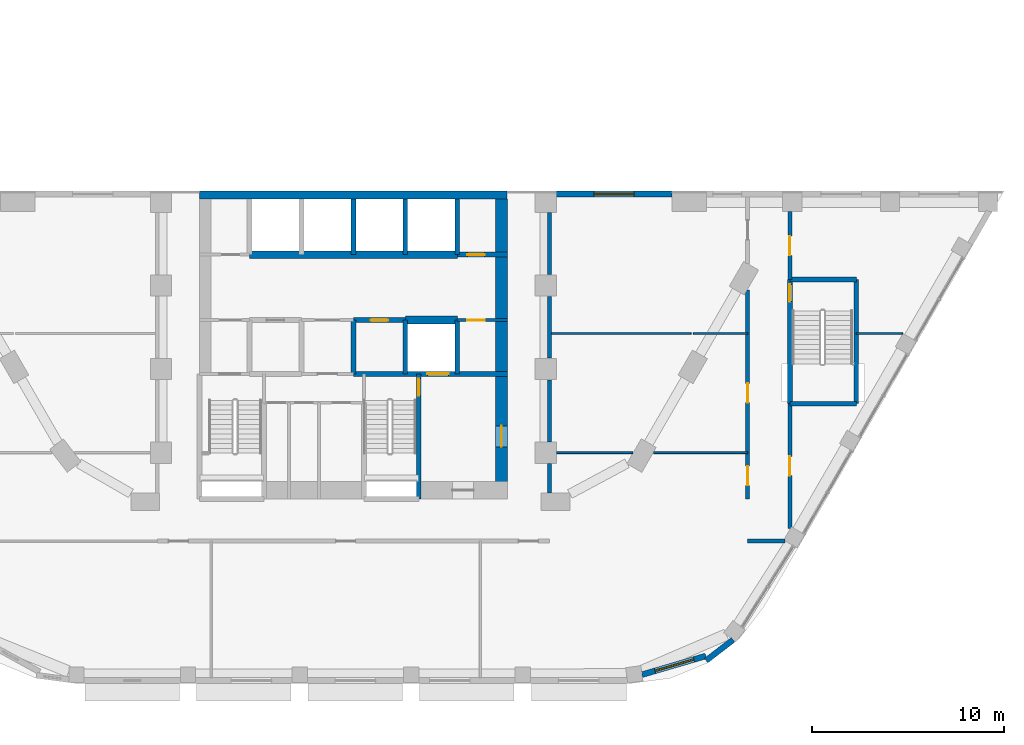
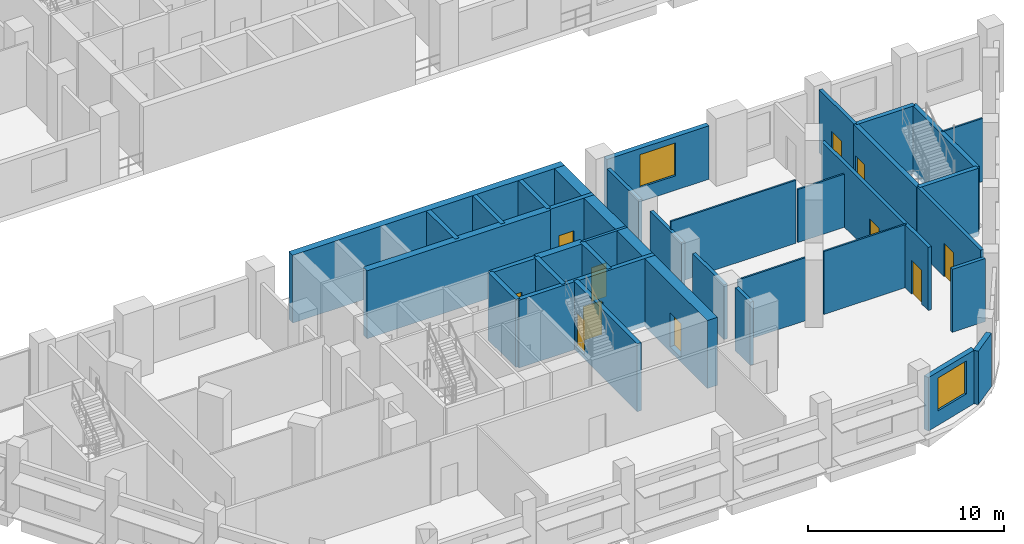
# One storey, part 12 of 22: 35 walls, 11 doors, 2 windows, 13 openings.
"""IFC4 building model written with IfcOpenShell, lengths in metres."""

from ifc_helpers import new_model, si_unit, direction, frame, frame_2d, origin, place, context, subcontext, project, spatial, rectangle, extrude, material, layer, layer_set, type_object, element, fill, save


model = new_model("IFC4")

# Units and contexts
model_context = context("Model", 3, precision=1e-05, world=origin(), true_north=direction((0.0, 1.0)))
body_context = subcontext(model_context, "Body", "Model", "MODEL_VIEW")
ifc_project = project(units=[si_unit("LENGTHUNIT", "METRE"), si_unit("AREAUNIT", "SQUARE_METRE"), si_unit("VOLUMEUNIT", "CUBIC_METRE"), si_unit("PLANEANGLEUNIT", "RADIAN"), si_unit("MASSUNIT", "GRAM", prefix="KILO")], contexts=[model_context])

# Site, building, storey
site_placement = place(None, origin())
site = spatial("IfcSite", under=ifc_project, at=site_placement, CompositionType="ELEMENT")
building_placement = place(site_placement, origin())
building = spatial("IfcBuilding", under=site, at=building_placement, Name="Nakaniwa Court", CompositionType="ELEMENT")
storey_placement = place(building_placement, frame((0.0, 0.0, 24.0)))
storey = spatial("IfcBuildingStorey", under=building, at=storey_placement, Name="L05", CompositionType="ELEMENT", Elevation=24.0)

# Wall, opening, door
ifc_material_1 = material(Name="Acoustic double stud partition")
ifc_layer_1 = layer(ifc_material_1, 0.199951171875)
ifc_layer_set_1 = layer_set([ifc_layer_1], Name="Acoustic double stud partition")
wall_type_1 = type_object("IfcWallType", Name="Acoustic double stud partition 200", PredefinedType="PARTITIONING", material=ifc_layer_set_1)
wall_1_placement = place(storey_placement, frame((102.699951171875, 61.552978515625, 0.0), z_axis=(0.0, 0.0, 1.0), x_axis=(0.0, -1.0, 0.0)))
wall_1 = element("IfcWall", 1, at=wall_1_placement, inside=storey, type_object=wall_type_1, Name="Partition PW-079", PredefinedType="PARTITIONING", context=body_context, shape_type="SweptSolid", body=[
    extrude(rectangle(XDim=6.49853515625, YDim=0.199951171875, at=frame_2d((3.249267578125, 0.0))), origin(), (0.0, 0.0, 1.0), 3.925048828125),
])
opening_1_placement = place(wall_1_placement, frame((2.75, 0.0, 0.0)))
opening_1 = element("IfcOpeningElement", 2, at=opening_1_placement, cuts=wall_1, Name="Opening D-02-10", PredefinedType="OPENING", context=body_context, shape_type="SweptSolid", body=[
    extrude(rectangle(XDim=1.0, YDim=2.10009765625, at=frame_2d((0.5, 1.050048828125))), frame((0.0, 0.10986328125, 0.0), z_axis=(0.0, -1.0, 0.0), x_axis=(1.0, 0.0, 0.0)), (0.0, 0.0, 1.0), 0.219970703125),
])
ifc_material_2 = material(Name="Solid core timber door set, black veneer", Category="wood")
door_type_1 = type_object("IfcDoorType", Name="Internal door 1000", OperationType="NOTDEFINED", PredefinedType="DOOR", material=ifc_material_2)
door_1_placement = place(opening_1_placement, origin())
door_1 = element("IfcDoor", 3, at=door_1_placement, inside=storey, type_object=door_type_1, Name="Door D-02-10 L05-041", OperationType="SINGLE_SWING_RIGHT", OverallHeight=2.10009765625, OverallWidth=1.0, PredefinedType="DOOR", context=body_context, shape_type="SweptSolid", body=[
    extrude(rectangle(XDim=1.0, YDim=2.10009765625, at=frame_2d((0.5, 1.050048828125))), frame((0.0, 0.02490234375, 0.0), z_axis=(0.0, -1.0, 0.0), x_axis=(1.0, 0.0, 0.0)), (0.0, 0.0, 1.0), 0.050048828125),
])
fill(opening_1, door_1)

wall_2_placement = place(storey_placement, frame((102.699951171875, 71.532958984375, 0.0), z_axis=(0.0, 0.0, 1.0), x_axis=(0.0, -1.0, 0.0)))
wall_2 = element("IfcWall", 4, at=wall_2_placement, inside=storey, type_object=wall_type_1, Name="Partition PW-080", PredefinedType="PARTITIONING", context=body_context, shape_type="SweptSolid", body=[
    extrude(rectangle(XDim=3.535888671875, YDim=0.199951171875, at=frame_2d((1.76806640625, 0.0))), origin(), (0.0, 0.0, 1.0), 3.925048828125),
])
opening_2_placement = place(wall_2_placement, frame((1.26806640625, 0.0, 0.0)))
opening_2 = element("IfcOpeningElement", 5, at=opening_2_placement, cuts=wall_2, Name="Opening D-02-09", PredefinedType="OPENING", context=body_context, shape_type="SweptSolid", body=[
    extrude(rectangle(XDim=1.0, YDim=2.10009765625, at=frame_2d((0.5, 1.050048828125))), frame((0.0, 0.10986328125, 0.0), z_axis=(0.0, -1.0, 0.0), x_axis=(1.0, 0.0, 0.0)), (0.0, 0.0, 1.0), 0.219970703125),
])
door_2_placement = place(opening_2_placement, origin())
door_2 = element("IfcDoor", 6, at=door_2_placement, inside=storey, type_object=door_type_1, Name="Door D-02-09 L05-040", OperationType="SINGLE_SWING_LEFT", OverallHeight=2.10009765625, OverallWidth=1.0, PredefinedType="DOOR", context=body_context, shape_type="SweptSolid", body=[
    extrude(rectangle(XDim=1.0, YDim=2.10009765625, at=frame_2d((0.5, 1.050048828125))), frame((0.0, 0.02490234375, 0.0), z_axis=(0.0, -1.0, 0.0), x_axis=(1.0, 0.0, 0.0)), (0.0, 0.0, 1.0), 0.050048828125),
])
fill(opening_2, door_2)

# Wall, openings, doors
wall_3_placement = place(storey_placement, frame((100.5, 56.596923828125, 0.0), z_axis=(0.0, 0.0, 1.0), x_axis=(0.0, 1.0, 0.0)))
wall_3 = element("IfcWall", 7, at=wall_3_placement, inside=storey, type_object=wall_type_1, Name="Partition PW-083", PredefinedType="PARTITIONING", context=body_context, shape_type="SweptSolid", body=[
    extrude(rectangle(XDim=10.873291015625, YDim=0.199951171875, at=frame_2d((5.4365234375, 0.0))), origin(), (0.0, 0.0, 1.0), 3.925048828125),
])
opening_3_placement = place(wall_3_placement, frame((5.0029296875, 0.0, 0.0)))
opening_3 = element("IfcOpeningElement", 8, at=opening_3_placement, cuts=wall_3, Name="Opening D-02-14", PredefinedType="OPENING", context=body_context, shape_type="SweptSolid", body=[
    extrude(rectangle(XDim=1.0, YDim=2.10009765625, at=frame_2d((0.5, 1.050048828125))), frame((0.0, 0.10986328125, 0.0), z_axis=(0.0, -1.0, 0.0), x_axis=(1.0, 0.0, 0.0)), (0.0, 0.0, 1.0), 0.219970703125),
])
opening_4_placement = place(wall_3_placement, frame((0.702880859375, 0.0, 0.0)))
opening_4 = element("IfcOpeningElement", 9, at=opening_4_placement, cuts=wall_3, Name="Opening D-02-15", PredefinedType="OPENING", context=body_context, shape_type="SweptSolid", body=[
    extrude(rectangle(XDim=1.0, YDim=2.10009765625, at=frame_2d((0.5, 1.050048828125))), frame((0.0, 0.10986328125, 0.0), z_axis=(0.0, -1.0, 0.0), x_axis=(1.0, 0.0, 0.0)), (0.0, 0.0, 1.0), 0.219970703125),
])
door_3_placement = place(opening_3_placement, origin())
door_3 = element("IfcDoor", 10, at=door_3_placement, inside=storey, type_object=door_type_1, Name="Door D-02-14 L05-045", OperationType="SINGLE_SWING_RIGHT", OverallHeight=2.10009765625, OverallWidth=1.0, PredefinedType="DOOR", context=body_context, shape_type="SweptSolid", body=[
    extrude(rectangle(XDim=1.0, YDim=2.10009765625, at=frame_2d((0.5, 1.050048828125))), frame((0.0, 0.02490234375, 0.0), z_axis=(0.0, -1.0, 0.0), x_axis=(1.0, 0.0, 0.0)), (0.0, 0.0, 1.0), 0.050048828125),
])
fill(opening_3, door_3)
door_4_placement = place(opening_4_placement, origin())
door_4 = element("IfcDoor", 11, at=door_4_placement, inside=storey, type_object=door_type_1, Name="Door D-02-15 L05-046", OperationType="SINGLE_SWING_LEFT", OverallHeight=2.10009765625, OverallWidth=1.0, PredefinedType="DOOR", context=body_context, shape_type="SweptSolid", body=[
    extrude(rectangle(XDim=1.0, YDim=2.10009765625, at=frame_2d((0.5, 1.050048828125))), frame((0.0, 0.02490234375, 0.0), z_axis=(0.0, -1.0, 0.0), x_axis=(1.0, 0.0, 0.0)), (0.0, 0.0, 1.0), 0.050048828125),
])
fill(opening_4, door_4)

# Walls
wall_4_placement = place(storey_placement, frame((90.199951171875, 56.9169921875, 0.0), z_axis=(0.0, 0.0, 1.0), x_axis=(0.0, 1.0, 0.0)))
element("IfcWall", 12, at=wall_4_placement, inside=storey, type_object=wall_type_1, Name="Partition PW-100", PredefinedType="PARTITIONING", context=body_context, shape_type="SweptSolid", body=[
    extrude(rectangle(XDim=1.51611328125, YDim=0.199951171875, at=frame_2d((0.758056640625, 0.0))), origin(), (0.0, 0.0, 1.0), 3.925048828125),
])
for number, where, z_axis, x_axis, name in (
    (13, (90.199951171875, 59.56689453125, 0.0), (0.0, 0.0, 1.0), (0.0, 1.0, 0.0), "Partition PW-101"),
    (14, (90.199951171875, 63.9169921875, 0.0), (0.0, 0.0, 1.0), (0.0, 1.0, 0.0), "Partition PW-102"),
):
    element("IfcWall", number, at=place(storey_placement, frame(where, z_axis=z_axis, x_axis=x_axis)), inside=storey, type_object=wall_type_1, Name=name, PredefinedType="PARTITIONING", context=body_context, shape_type="SweptSolid", body=[
        extrude(rectangle(XDim=3.216064453125, YDim=0.199951171875, at=frame_2d((1.60791015625, 0.0))), origin(), (0.0, 0.0, 1.0), 3.405029296875),
    ])
wall_5_placement = place(storey_placement, frame((90.199951171875, 68.26708984375, 0.0), z_axis=(0.0, 0.0, 1.0), x_axis=(0.0, 1.0, 0.0)))
element("IfcWall", 15, at=wall_5_placement, inside=storey, type_object=wall_type_1, Name="Partition PW-103", PredefinedType="PARTITIONING", context=body_context, shape_type="SweptSolid", body=[
    extrude(rectangle(XDim=3.2158203125, YDim=0.199951171875, at=frame_2d((1.60791015625, 0.0))), origin(), (0.0, 0.0, 1.0), 3.405029296875),
])
wall_6_placement = place(storey_placement, frame((100.5, 54.39990234375, 0.0), z_axis=(0.0, 0.0, 1.0), x_axis=(1.0, 0.0, 0.0)))
element("IfcWall", 16, at=wall_6_placement, inside=storey, type_object=wall_type_1, Name="Partition PW-132", PredefinedType="PARTITIONING", context=body_context, shape_type="SweptSolid", body=[
    extrude(rectangle(XDim=1.93408203125, YDim=0.199951171875, at=frame_2d((0.967041015625, 0.0))), origin(), (0.0, 0.0, 1.0), 3.925048828125),
])

# Wall, opening, window
ifc_material_3 = material(Name="Charcoal ceramic cladding")
ifc_layer_2 = layer(ifc_material_3, 0.02, Name="Ceramic cladding")
ifc_material_4 = material(Name="Ventilated air cavity")
ifc_layer_3 = layer(ifc_material_4, 0.04, ventilated=True, Name="Ventilated cavity")
ifc_material_5 = material(Name="Mineral wool insulation")
ifc_layer_4 = layer(ifc_material_5, 0.1, Name="Insulation")
ifc_material_6 = material(Name="Cement bonded sheathing board")
ifc_layer_5 = layer(ifc_material_6, 0.012, Name="Sheathing")
ifc_material_7 = material(Name="Cold-formed galvanised stud frame with mineral wool infill")
ifc_layer_6 = layer(ifc_material_7, 0.1, Name="Stud frame")
ifc_material_8 = material(Name="Fire-rated gypsum plasterboard lining")
ifc_layer_7 = layer(ifc_material_8, 0.028, Name="Lining")
ifc_layer_set_2 = layer_set([ifc_layer_2, ifc_layer_3, ifc_layer_4, ifc_layer_5, ifc_layer_6, ifc_layer_7], Name="Charcoal ceramic faced external wall system")
wall_type_2 = type_object("IfcWallType", Name="Black ceramic faced external wall 300", PredefinedType="SOLIDWALL", material=ifc_layer_set_2)
wall_7_placement = place(storey_placement, frame((96.56201171875, 72.449951171875, 0.0), z_axis=(0.0, 0.0, 1.0), x_axis=(-1.0, 0.0, 0.0)))
wall_7 = element("IfcWall", 17, at=wall_7_placement, inside=storey, type_object=wall_type_2, Name="L05 external wall 07", PredefinedType="SOLIDWALL", context=body_context, shape_type="SweptSolid", body=[
    extrude(rectangle(XDim=6.01611328125, YDim=0.300048828125, at=frame_2d((3.008056640625, 0.0))), origin(), (0.0, 0.0, 1.0), 3.324951171875),
])
opening_5_placement = place(wall_7_placement, frame((1.9580078125, 0.0, 0.89990234375)))
opening_5 = element("IfcOpeningElement", 18, at=opening_5_placement, cuts=wall_7, Name="Opening W2.04", PredefinedType="OPENING", context=body_context, shape_type="SweptSolid", body=[
    extrude(rectangle(XDim=2.10009765625, YDim=2.050048828125, at=frame_2d((1.050048828125, 1.02490234375))), frame((0.0, 0.159912109375, 0.0), z_axis=(0.0, -1.0, 0.0), x_axis=(1.0, 0.0, 0.0)), (0.0, 0.0, 1.0), 0.320068359375),
])
ifc_material_9 = material(Name="Black anodised aluminium frame with dark low-E laminated double glazing", Category="aluminium")
window_type = type_object("IfcWindowType", Name="Dark glass window 2100x2050 sill 900", PartitioningType="SINGLE_PANEL", PredefinedType="WINDOW", material=ifc_material_9)
window_1_placement = place(opening_5_placement, origin())
window_1 = element("IfcWindow", 19, at=window_1_placement, inside=storey, type_object=window_type, Name="L05 habitable room window 07-0", OverallHeight=2.050048828125, OverallWidth=2.10009765625, PartitioningType="SINGLE_PANEL", PredefinedType="WINDOW", context=body_context, shape_type="SweptSolid", body=[
    extrude(rectangle(XDim=2.10009765625, YDim=2.050048828125, at=frame_2d((1.050048828125, 1.02490234375))), frame((0.0, 0.030029296875, 0.0), z_axis=(0.0, -1.0, 0.0), x_axis=(1.0, 0.0, 0.0)), (0.0, 0.0, 1.0), 0.06005859375),
])
fill(opening_5, window_1)

wall_8_placement = place(storey_placement, frame((95.00732421875, 47.45654296875, 0.0), z_axis=(0.0, 0.0, 1.0), x_axis=(0.959578633815, 0.281440660756, 0.0)))
wall_8 = element("IfcWall", 20, at=wall_8_placement, inside=storey, type_object=wall_type_2, Name="L05 external wall 24", PredefinedType="SOLIDWALL", context=body_context, shape_type="SweptSolid", body=[
    extrude(rectangle(XDim=3.461181640625, YDim=0.300048828125, at=frame_2d((1.73046875, 0.0))), origin(), (0.0, 0.0, 1.0), 3.324951171875),
])
opening_6_placement = place(wall_8_placement, frame((0.705810546875, 0.0, 0.89990234375)))
opening_6 = element("IfcOpeningElement", 21, at=opening_6_placement, cuts=wall_8, Name="Opening W2.17", PredefinedType="OPENING", context=body_context, shape_type="SweptSolid", body=[
    extrude(rectangle(XDim=2.10009765625, YDim=2.050048828125, at=frame_2d((1.050048828125, 1.02490234375))), frame((0.0, 0.159912109375, 0.0), z_axis=(0.0, -1.0, 0.0), x_axis=(1.0, 0.0, 0.0)), (0.0, 0.0, 1.0), 0.320068359375),
])
window_2_placement = place(opening_6_placement, origin())
window_2 = element("IfcWindow", 22, at=window_2_placement, inside=storey, type_object=window_type, Name="L05 habitable room window 24-0", OverallHeight=2.050048828125, OverallWidth=2.10009765625, PartitioningType="SINGLE_PANEL", PredefinedType="WINDOW", context=body_context, shape_type="SweptSolid", body=[
    extrude(rectangle(XDim=2.10009765625, YDim=2.050048828125, at=frame_2d((1.050048828125, 1.02490234375))), frame((0.0, 0.030029296875, 0.0), z_axis=(0.0, -1.0, 0.0), x_axis=(1.0, 0.0, 0.0)), (0.0, 0.0, 1.0), 0.06005859375),
])
fill(opening_6, window_2)

# Wall
wall_9_placement = place(storey_placement, frame((98.342529296875, 48.19091796875, 0.0), z_axis=(0.0, 0.0, 1.0), x_axis=(0.793403972369, 0.608695438318, 0.0)))
element("IfcWall", 23, at=wall_9_placement, inside=storey, type_object=wall_type_2, Name="L05 external wall 25", PredefinedType="SOLIDWALL", context=body_context, shape_type="SweptSolid", body=[
    extrude(rectangle(XDim=1.76708984375, YDim=0.300048828125, at=frame_2d((0.883544921875, 0.0))), origin(), (0.0, 0.0, 1.0), 3.324951171875),
])

# Wall, opening, door
ifc_material_10 = material(Name="Blockwork partition", Category="masonry")
ifc_layer_8 = layer(ifc_material_10, 0.14990234375)
ifc_layer_set_3 = layer_set([ifc_layer_8], Name="Blockwork partition")
wall_type_3 = type_object("IfcWallType", Name="Blockwork partition 150", PredefinedType="PARTITIONING", material=ifc_layer_set_3)
wall_10_placement = place(storey_placement, frame((88.0, 65.89990234375, 0.0), z_axis=(0.0, 0.0, 1.0), x_axis=(-1.0, 0.0, 0.0)))
wall_10 = element("IfcWall", 24, at=wall_10_placement, inside=storey, type_object=wall_type_3, Name="Partition PW-056", PredefinedType="PARTITIONING", context=body_context, shape_type="SweptSolid", body=[
    extrude(rectangle(XDim=2.60302734375, YDim=0.14990234375, at=frame_2d((1.301513671875, 0.0))), origin(), (0.0, 0.0, 1.0), 3.925048828125),
])
opening_7_placement = place(wall_10_placement, frame((1.175048828125, 0.0, 0.0)))
opening_7 = element("IfcOpeningElement", 25, at=opening_7_placement, cuts=wall_10, Name="Opening D-05-13", PredefinedType="OPENING", context=body_context, shape_type="SweptSolid", body=[
    extrude(rectangle(XDim=0.89990234375, YDim=2.10009765625, at=frame_2d((0.449951171875, 1.050048828125))), frame((0.0, 0.0849609375, 0.0), z_axis=(0.0, -1.0, 0.0), x_axis=(1.0, 0.0, 0.0)), (0.0, 0.0, 1.0), 0.169921875),
])
ifc_material_11 = material(Name="Fire rated steel door set", Category="steel")
door_type_2 = type_object("IfcDoorType", Name="Service room door 900", OperationType="NOTDEFINED", PredefinedType="DOOR", material=ifc_material_11)
door_5_placement = place(opening_7_placement, origin())
door_5 = element("IfcDoor", 26, at=door_5_placement, inside=storey, type_object=door_type_2, Name="Door D-05-13 L05-020", OperationType="SINGLE_SWING_LEFT", OverallHeight=2.10009765625, OverallWidth=0.89990234375, PredefinedType="DOOR", context=body_context, shape_type="SweptSolid", body=[
    extrude(rectangle(XDim=0.89990234375, YDim=2.10009765625, at=frame_2d((0.449951171875, 1.050048828125))), frame((0.0, 0.02490234375, 0.0), z_axis=(0.0, -1.0, 0.0), x_axis=(1.0, 0.0, 0.0)), (0.0, 0.0, 1.0), 0.050048828125),
])
fill(opening_7, door_5)

ifc_material_12 = material(Name="Concrete C100/115", Category="concrete")
ifc_layer_9 = layer(ifc_material_12, 0.60009765625)
ifc_layer_set_4 = layer_set([ifc_layer_9], Name="Concrete C100/115")
wall_type_4 = type_object("IfcWallType", Name="Concrete core side wall 600 C100", PredefinedType="SHEAR", material=ifc_layer_set_4)
wall_11_placement = place(storey_placement, frame((87.699951171875, 72.199951171875, -0.300048828125), z_axis=(0.0, 0.0, 1.0), x_axis=(0.0, -1.0, 0.0)))
wall_11 = element("IfcWall", 27, at=wall_11_placement, inside=storey, type_object=wall_type_4, Name="Core wall SW-53", PredefinedType="SHEAR", context=body_context, shape_type="SweptSolid", body=[
    extrude(rectangle(XDim=15.599853515625, YDim=0.60009765625, at=frame_2d((7.7998046875, 0.0))), origin(), (0.0, 0.0, 1.0), 4.22509765625),
])
opening_8_placement = place(wall_11_placement, frame((11.800048828125, 0.0, 0.300048828125)))
opening_8 = element("IfcOpeningElement", 28, at=opening_8_placement, cuts=wall_11, Name="Opening D-10-03", PredefinedType="OPENING", context=body_context, shape_type="SweptSolid", body=[
    extrude(rectangle(XDim=1.10009765625, YDim=2.10009765625, at=frame_2d((0.550048828125, 1.050048828125))), frame((0.0, 0.31005859375, 0.0), z_axis=(0.0, -1.0, 0.0), x_axis=(1.0, 0.0, 0.0)), (0.0, 0.0, 1.0), 0.6201171875),
])
door_type_3 = type_object("IfcDoorType", Name="Firefighting lobby door 1100", OperationType="NOTDEFINED", PredefinedType="DOOR", material=ifc_material_11)
door_6_placement = place(opening_8_placement, origin())
door_6 = element("IfcDoor", 29, at=door_6_placement, inside=storey, type_object=door_type_3, Name="Door D-10-03 L05-055", OperationType="SINGLE_SWING_RIGHT", OverallHeight=2.10009765625, OverallWidth=1.10009765625, PredefinedType="DOOR", context=body_context, shape_type="SweptSolid", body=[
    extrude(rectangle(XDim=1.10009765625, YDim=2.10009765625, at=frame_2d((0.550048828125, 1.050048828125))), frame((0.0, 0.02490234375, 0.0), z_axis=(0.0, -1.0, 0.0), x_axis=(1.0, 0.0, 0.0)), (0.0, 0.0, 1.0), 0.050048828125),
])
fill(opening_8, door_6)

# Walls
ifc_layer_10 = layer(ifc_material_12, 0.39990234375)
ifc_layer_set_5 = layer_set([ifc_layer_10], Name="Concrete C100/115")
wall_type_5 = type_object("IfcWallType", Name="Concrete core spine wall 400 C100", PredefinedType="SHEAR", material=ifc_layer_set_5)
wall_12_placement = place(storey_placement, frame((74.60009765625, 69.300048828125, -0.300048828125), z_axis=(0.0, 0.0, 1.0), x_axis=(1.0, 0.0, 0.0)))
element("IfcWall", 30, at=wall_12_placement, inside=storey, type_object=wall_type_5, Name="Core wall SW-45", PredefinedType="SHEAR", context=body_context, shape_type="SweptSolid", body=[
    extrude(rectangle(XDim=10.7998046875, YDim=0.39990234375, at=frame_2d((5.39990234375, 0.0))), origin(), (0.0, 0.0, 1.0), 4.22509765625),
])
wall_13_placement = place(storey_placement, frame((82.697021484375, 65.89990234375, -0.300048828125), z_axis=(0.0, 0.0, 1.0), x_axis=(1.0, 0.0, 0.0)))
element("IfcWall", 31, at=wall_13_placement, inside=storey, type_object=wall_type_5, Name="Core wall SW-59", PredefinedType="SHEAR", context=body_context, shape_type="SweptSolid", body=[
    extrude(rectangle(XDim=2.7060546875, YDim=0.39990234375, at=frame_2d((1.35302734375, 0.0))), origin(), (0.0, 0.0, 1.0), 4.22509765625),
])

# Wall, opening, door
ifc_layer_11 = layer(ifc_material_12, 0.25)
ifc_layer_set_6 = layer_set([ifc_layer_11], Name="Concrete C100/115")
wall_type_6 = type_object("IfcWallType", Name="Concrete core wall 250 C100", PredefinedType="SHEAR", material=ifc_layer_set_6)
wall_14_placement = place(storey_placement, frame((102.699951171875, 61.547119140625, -0.300048828125), z_axis=(0.0, 0.0, 1.0), x_axis=(0.0, 1.0, 0.0)))
wall_14 = element("IfcWall", 32, at=wall_14_placement, inside=storey, type_object=wall_type_6, Name="Core wall SW-77", PredefinedType="SHEAR", context=body_context, shape_type="SweptSolid", body=[
    extrude(rectangle(XDim=6.455810546875, YDim=0.25, at=frame_2d((3.22802734375, 0.0))), origin(), (0.0, 0.0, 1.0), 4.22509765625),
])
opening_9_placement = place(wall_14_placement, frame((5.305908203125, 0.0, 0.300048828125)))
opening_9 = element("IfcOpeningElement", 33, at=opening_9_placement, cuts=wall_14, Name="Opening D-11-05", PredefinedType="OPENING", context=body_context, shape_type="SweptSolid", body=[
    extrude(rectangle(XDim=0.89990234375, YDim=2.10009765625, at=frame_2d((0.449951171875, 1.050048828125))), frame((0.0, 0.135009765625, 0.0), z_axis=(0.0, -1.0, 0.0), x_axis=(1.0, 0.0, 0.0)), (0.0, 0.0, 1.0), 0.27001953125),
])
door_type_4 = type_object("IfcDoorType", Name="Stair door 900", OperationType="NOTDEFINED", PredefinedType="DOOR", material=ifc_material_11)
door_7_placement = place(opening_9_placement, origin())
door_7 = element("IfcDoor", 34, at=door_7_placement, inside=storey, type_object=door_type_4, Name="Door D-11-05 L05-038", OperationType="SINGLE_SWING_RIGHT", OverallHeight=2.10009765625, OverallWidth=0.89990234375, PredefinedType="DOOR", context=body_context, shape_type="SweptSolid", body=[
    extrude(rectangle(XDim=0.89990234375, YDim=2.10009765625, at=frame_2d((0.449951171875, 1.050048828125))), frame((0.0, 0.02490234375, 0.0), z_axis=(0.0, -1.0, 0.0), x_axis=(1.0, 0.0, 0.0)), (0.0, 0.0, 1.0), 0.050048828125),
])
fill(opening_9, door_7)

# Walls
wall_15_placement = place(storey_placement, frame((106.14990234375, 61.550048828125, -0.300048828125), z_axis=(0.0, 0.0, 1.0), x_axis=(0.0, 1.0, 0.0)))
element("IfcWall", 35, at=wall_15_placement, inside=storey, type_object=wall_type_6, Name="Core wall SW-116", PredefinedType="SHEAR", context=body_context, shape_type="SweptSolid", body=[
    extrude(rectangle(XDim=6.449951171875, YDim=0.25, at=frame_2d((3.22509765625, 0.0))), origin(), (0.0, 0.0, 1.0), 4.22509765625),
])
for number, where, z_axis, x_axis, name in (
    (36, (102.699951171875, 68.0, -0.300048828125), (0.0, 0.0, 1.0), (1.0, 0.0, 0.0), "Core wall SW-134"),
    (37, (102.699951171875, 61.550048828125, -0.300048828125), (0.0, 0.0, 1.0), (1.0, 0.0, 0.0), "Core wall SW-136"),
):
    element("IfcWall", number, at=place(storey_placement, frame(where, z_axis=z_axis, x_axis=x_axis)), inside=storey, type_object=wall_type_6, Name=name, PredefinedType="SHEAR", context=body_context, shape_type="SweptSolid", body=[
        extrude(rectangle(XDim=3.449951171875, YDim=0.25, at=frame_2d((1.72509765625, 0.0))), origin(), (0.0, 0.0, 1.0), 4.22509765625),
    ])
ifc_layer_12 = layer(ifc_material_12, 0.39990234375)
ifc_layer_set_7 = layer_set([ifc_layer_12], Name="Concrete C100/115")
wall_type_7 = type_object("IfcWallType", Name="Concrete core well wall 400 C100", PredefinedType="SHEAR", material=ifc_layer_set_7)
wall_16_placement = place(storey_placement, frame((72.00390625, 72.39990234375, -0.300048828125), z_axis=(0.0, 0.0, 1.0), x_axis=(1.0, 0.0, 0.0)))
element("IfcWall", 38, at=wall_16_placement, inside=storey, type_object=wall_type_7, Name="Core wall SW-151", PredefinedType="SHEAR", context=body_context, shape_type="SweptSolid", body=[
    extrude(rectangle(XDim=15.9921875, YDim=0.39990234375, at=frame_2d((7.99609375, 0.0))), origin(), (0.0, 0.0, 1.0), 4.22509765625),
])
ifc_layer_13 = layer(ifc_material_12, 0.25)
ifc_layer_set_8 = layer_set([ifc_layer_13], Name="Concrete C100/115")
wall_type_8 = type_object("IfcWallType", Name="Concrete shaft wall 250 C100", PredefinedType="SHEAR", material=ifc_layer_set_8)
wall_17_placement = place(storey_placement, frame((80.0, 63.10009765625, -0.300048828125), z_axis=(0.0, 0.0, 1.0), x_axis=(0.0, 1.0, 0.0)))
element("IfcWall", 39, at=wall_17_placement, inside=storey, type_object=wall_type_8, Name="Core wall SW-46", PredefinedType="SHEAR", context=body_context, shape_type="SweptSolid", body=[
    extrude(rectangle(XDim=2.7998046875, YDim=0.25, at=frame_2d((1.39990234375, 0.0))), origin(), (0.0, 0.0, 1.0), 4.22509765625),
])
wall_18_placement = place(storey_placement, frame((80.0, 69.300048828125, -0.300048828125), z_axis=(0.0, 0.0, 1.0), x_axis=(0.0, 1.0, 0.0)))
element("IfcWall", 40, at=wall_18_placement, inside=storey, type_object=wall_type_8, Name="Core wall SW-47", PredefinedType="SHEAR", context=body_context, shape_type="SweptSolid", body=[
    extrude(rectangle(XDim=2.89990234375, YDim=0.25, at=frame_2d((1.449951171875, 0.0))), origin(), (0.0, 0.0, 1.0), 4.22509765625),
])
wall_19_placement = place(storey_placement, frame((82.699951171875, 63.10009765625, -0.300048828125), z_axis=(0.0, 0.0, 1.0), x_axis=(0.0, 1.0, 0.0)))
element("IfcWall", 41, at=wall_19_placement, inside=storey, type_object=wall_type_8, Name="Core wall SW-48", PredefinedType="SHEAR", context=body_context, shape_type="SweptSolid", body=[
    extrude(rectangle(XDim=2.7998046875, YDim=0.25, at=frame_2d((1.39990234375, 0.0))), origin(), (0.0, 0.0, 1.0), 4.22509765625),
])
wall_20_placement = place(storey_placement, frame((82.699951171875, 69.300048828125, -0.300048828125), z_axis=(0.0, 0.0, 1.0), x_axis=(0.0, 1.0, 0.0)))
element("IfcWall", 42, at=wall_20_placement, inside=storey, type_object=wall_type_8, Name="Core wall SW-49", PredefinedType="SHEAR", context=body_context, shape_type="SweptSolid", body=[
    extrude(rectangle(XDim=2.89990234375, YDim=0.25, at=frame_2d((1.449951171875, 0.0))), origin(), (0.0, 0.0, 1.0), 4.22509765625),
])
wall_21_placement = place(storey_placement, frame((85.39990234375, 63.10009765625, -0.300048828125), z_axis=(0.0, 0.0, 1.0), x_axis=(0.0, 1.0, 0.0)))
element("IfcWall", 43, at=wall_21_placement, inside=storey, type_object=wall_type_8, Name="Core wall SW-50", PredefinedType="SHEAR", context=body_context, shape_type="SweptSolid", body=[
    extrude(rectangle(XDim=2.7998046875, YDim=0.25, at=frame_2d((1.39990234375, 0.0))), origin(), (0.0, 0.0, 1.0), 4.22509765625),
])
wall_22_placement = place(storey_placement, frame((85.39990234375, 69.300048828125, -0.300048828125), z_axis=(0.0, 0.0, 1.0), x_axis=(0.0, 1.0, 0.0)))
element("IfcWall", 44, at=wall_22_placement, inside=storey, type_object=wall_type_8, Name="Core wall SW-51", PredefinedType="SHEAR", context=body_context, shape_type="SweptSolid", body=[
    extrude(rectangle(XDim=2.89990234375, YDim=0.25, at=frame_2d((1.449951171875, 0.0))), origin(), (0.0, 0.0, 1.0), 4.22509765625),
])

# Wall, opening, door
wall_23_placement = place(storey_placement, frame((85.39990234375, 69.300048828125, -0.300048828125), z_axis=(0.0, 0.0, 1.0), x_axis=(1.0, 0.0, 0.0)))
wall_23 = element("IfcWall", 45, at=wall_23_placement, inside=storey, type_object=wall_type_8, Name="Core wall SW-52", PredefinedType="SHEAR", context=body_context, shape_type="SweptSolid", body=[
    extrude(rectangle(XDim=2.60009765625, YDim=0.25, at=frame_2d((1.300048828125, 0.0))), origin(), (0.0, 0.0, 1.0), 4.22509765625),
])
opening_10_placement = place(wall_23_placement, frame((0.52490234375, 0.0, 0.300048828125)))
opening_10 = element("IfcOpeningElement", 46, at=opening_10_placement, cuts=wall_23, Name="Opening D-05-10", PredefinedType="OPENING", context=body_context, shape_type="SweptSolid", body=[
    extrude(rectangle(XDim=0.89990234375, YDim=2.10009765625, at=frame_2d((0.449951171875, 1.050048828125))), frame((0.0, 0.135009765625, 0.0), z_axis=(0.0, -1.0, 0.0), x_axis=(1.0, 0.0, 0.0)), (0.0, 0.0, 1.0), 0.27001953125),
])
door_8_placement = place(opening_10_placement, origin())
door_8 = element("IfcDoor", 47, at=door_8_placement, inside=storey, type_object=door_type_2, Name="Door D-05-10 L05-015", OperationType="SINGLE_SWING_RIGHT", OverallHeight=2.10009765625, OverallWidth=0.89990234375, PredefinedType="DOOR", context=body_context, shape_type="SweptSolid", body=[
    extrude(rectangle(XDim=0.89990234375, YDim=2.10009765625, at=frame_2d((0.449951171875, 1.050048828125))), frame((0.0, 0.02490234375, 0.0), z_axis=(0.0, -1.0, 0.0), x_axis=(1.0, 0.0, 0.0)), (0.0, 0.0, 1.0), 0.050048828125),
])
fill(opening_10, door_8)

wall_24_placement = place(storey_placement, frame((82.702880859375, 65.89990234375, -0.300048828125), z_axis=(0.0, 0.0, 1.0), x_axis=(-1.0, 0.0, 0.0)))
wall_24 = element("IfcWall", 48, at=wall_24_placement, inside=storey, type_object=wall_type_8, Name="Core wall SW-58", PredefinedType="SHEAR", context=body_context, shape_type="SweptSolid", body=[
    extrude(rectangle(XDim=2.705810546875, YDim=0.25, at=frame_2d((1.35302734375, 0.0))), origin(), (0.0, 0.0, 1.0), 4.22509765625),
])
opening_11_placement = place(wall_24_placement, frame((0.903076171875, 0.0, 0.300048828125)))
opening_11 = element("IfcOpeningElement", 49, at=opening_11_placement, cuts=wall_24, Name="Opening D-05-12", PredefinedType="OPENING", context=body_context, shape_type="SweptSolid", body=[
    extrude(rectangle(XDim=0.89990234375, YDim=2.10009765625, at=frame_2d((0.449951171875, 1.050048828125))), frame((0.0, 0.135009765625, 0.0), z_axis=(0.0, -1.0, 0.0), x_axis=(1.0, 0.0, 0.0)), (0.0, 0.0, 1.0), 0.27001953125),
])
door_9_placement = place(opening_11_placement, origin())
door_9 = element("IfcDoor", 50, at=door_9_placement, inside=storey, type_object=door_type_2, Name="Door D-05-12 L05-019", OperationType="SINGLE_SWING_RIGHT", OverallHeight=2.10009765625, OverallWidth=0.89990234375, PredefinedType="DOOR", context=body_context, shape_type="SweptSolid", body=[
    extrude(rectangle(XDim=0.89990234375, YDim=2.10009765625, at=frame_2d((0.449951171875, 1.050048828125))), frame((0.0, 0.02490234375, 0.0), z_axis=(0.0, -1.0, 0.0), x_axis=(1.0, 0.0, 0.0)), (0.0, 0.0, 1.0), 0.050048828125),
])
fill(opening_11, door_9)

wall_25_placement = place(storey_placement, frame((80.0, 63.10009765625, -0.300048828125), z_axis=(0.0, 0.0, 1.0), x_axis=(1.0, 0.0, 0.0)))
wall_25 = element("IfcWall", 51, at=wall_25_placement, inside=storey, type_object=wall_type_8, Name="Core wall SW-62", PredefinedType="SHEAR", context=body_context, shape_type="SweptSolid", body=[
    extrude(rectangle(XDim=8.0, YDim=0.25, at=frame_2d((4.0, 0.0))), origin(), (0.0, 0.0, 1.0), 4.22509765625),
])
opening_12_placement = place(wall_25_placement, frame((3.84912109375, 0.0, 0.300048828125)))
opening_12 = element("IfcOpeningElement", 52, at=opening_12_placement, cuts=wall_25, Name="Opening LD02", PredefinedType="OPENING", context=body_context, shape_type="SweptSolid", body=[
    extrude(rectangle(XDim=1.10009765625, YDim=2.10009765625, at=frame_2d((0.550048828125, 1.050048828125))), frame((0.0, 0.135009765625, 0.0), z_axis=(0.0, -1.0, 0.0), x_axis=(1.0, 0.0, 0.0)), (0.0, 0.0, 1.0), 0.27001953125),
])
ifc_material_13 = material(Name="Stainless steel sliding lift landing door", Category="steel")
door_type_5 = type_object("IfcDoorType", Name="Lift landing door 1100", OperationType="NOTDEFINED", PredefinedType="DOOR", material=ifc_material_13)
door_10_placement = place(opening_12_placement, origin())
door_10 = element("IfcDoor", 53, at=door_10_placement, inside=storey, type_object=door_type_5, Name="Lift landing door LD02 L05-002", OperationType="SLIDING_TO_LEFT", OverallHeight=2.10009765625, OverallWidth=1.10009765625, PredefinedType="DOOR", context=body_context, shape_type="SweptSolid", body=[
    extrude(rectangle(XDim=1.10009765625, YDim=2.10009765625, at=frame_2d((0.550048828125, 1.050048828125))), frame((0.0, 0.02490234375, 0.0), z_axis=(0.0, -1.0, 0.0), x_axis=(1.0, 0.0, 0.0)), (0.0, 0.0, 1.0), 0.050048828125),
])
fill(opening_12, door_10)

wall_26_placement = place(storey_placement, frame((83.39990234375, 63.10009765625, -0.300048828125), z_axis=(0.0, 0.0, 1.0), x_axis=(0.0, -1.0, 0.0)))
wall_26 = element("IfcWall", 54, at=wall_26_placement, inside=storey, type_object=wall_type_8, Name="Core wall SW-69", PredefinedType="SHEAR", context=body_context, shape_type="SweptSolid", body=[
    extrude(rectangle(XDim=6.5, YDim=0.25, at=frame_2d((3.25, 0.0))), origin(), (0.0, 0.0, 1.0), 4.22509765625),
])
opening_13_placement = place(wall_26_placement, frame((0.25, 0.0, 0.300048828125)))
opening_13 = element("IfcOpeningElement", 55, at=opening_13_placement, cuts=wall_26, Name="Opening D-11-02", PredefinedType="OPENING", context=body_context, shape_type="SweptSolid", body=[
    extrude(rectangle(XDim=0.89990234375, YDim=2.10009765625, at=frame_2d((0.449951171875, 1.050048828125))), frame((0.0, 0.135009765625, 0.0), z_axis=(0.0, -1.0, 0.0), x_axis=(1.0, 0.0, 0.0)), (0.0, 0.0, 1.0), 0.27001953125),
])
door_11_placement = place(opening_13_placement, origin())
door_11 = element("IfcDoor", 56, at=door_11_placement, inside=storey, type_object=door_type_4, Name="Door D-11-02 L05-026", OperationType="SINGLE_SWING_RIGHT", OverallHeight=2.10009765625, OverallWidth=0.89990234375, PredefinedType="DOOR", context=body_context, shape_type="SweptSolid", body=[
    extrude(rectangle(XDim=0.89990234375, YDim=2.10009765625, at=frame_2d((0.449951171875, 1.050048828125))), frame((0.0, 0.02490234375, 0.0), z_axis=(0.0, -1.0, 0.0), x_axis=(1.0, 0.0, 0.0)), (0.0, 0.0, 1.0), 0.050048828125),
])
fill(opening_13, door_11)

# Walls
ifc_material_14 = material(Name="Single stud plasterboard partition")
ifc_layer_14 = layer(ifc_material_14, 0.10009765625)
ifc_layer_set_9 = layer_set([ifc_layer_14], Name="Single stud plasterboard partition")
wall_type_9 = type_object("IfcWallType", Name="Single stud plasterboard partition 100", PredefinedType="PARTITIONING", material=ifc_layer_set_9)
wall_27_placement = place(storey_placement, frame((90.199951171875, 65.199951171875, 0.0), z_axis=(0.0, 0.0, 1.0), x_axis=(1.0, 0.0, 0.0)))
element("IfcWall", 57, at=wall_27_placement, inside=storey, type_object=wall_type_9, Name="Partition PW-140", PredefinedType="PARTITIONING", context=body_context, shape_type="SweptSolid", body=[
    extrude(rectangle(XDim=7.366455078125, YDim=0.10009765625, at=frame_2d((3.68310546875, 0.0))), origin(), (0.0, 0.0, 1.0), 3.925048828125),
])
wall_28_placement = place(storey_placement, frame((97.680419921875, 65.199951171875, 0.0), z_axis=(0.0, 0.0, 1.0), x_axis=(1.0, 0.0, 0.0)))
element("IfcWall", 58, at=wall_28_placement, inside=storey, type_object=wall_type_9, Name="Partition PW-141", PredefinedType="PARTITIONING", context=body_context, shape_type="SweptSolid", body=[
    extrude(rectangle(XDim=2.819580078125, YDim=0.10009765625, at=frame_2d((1.40966796875, 0.0))), origin(), (0.0, 0.0, 1.0), 3.304931640625),
])
wall_29_placement = place(storey_placement, frame((106.14990234375, 65.199951171875, 0.0), z_axis=(0.0, 0.0, 1.0), x_axis=(1.0, 0.0, 0.0)))
element("IfcWall", 59, at=wall_29_placement, inside=storey, type_object=wall_type_9, Name="Partition PW-142", PredefinedType="PARTITIONING", context=body_context, shape_type="SweptSolid", body=[
    extrude(rectangle(XDim=2.40576171875, YDim=0.10009765625, at=frame_2d((1.202880859375, 0.0))), origin(), (0.0, 0.0, 1.0), 3.925048828125),
])
wall_30_placement = place(storey_placement, frame((90.570068359375, 59.0, 0.0), z_axis=(0.0, 0.0, 1.0), x_axis=(1.0, 0.0, 0.0)))
element("IfcWall", 60, at=wall_30_placement, inside=storey, type_object=wall_type_9, Name="Partition PW-145", PredefinedType="PARTITIONING", context=body_context, shape_type="SweptSolid", body=[
    extrude(rectangle(XDim=3.9560546875, YDim=0.10009765625, at=frame_2d((1.97802734375, 0.0))), origin(), (0.0, 0.0, 1.0), 3.925048828125),
])
wall_31_placement = place(storey_placement, frame((95.611572265625, 59.0, 0.0), z_axis=(0.0, 0.0, 1.0), x_axis=(1.0, 0.0, 0.0)))
element("IfcWall", 61, at=wall_31_placement, inside=storey, type_object=wall_type_9, Name="Partition PW-146", PredefinedType="PARTITIONING", context=body_context, shape_type="SweptSolid", body=[
    extrude(rectangle(XDim=4.888427734375, YDim=0.10009765625, at=frame_2d((2.4443359375, 0.0))), origin(), (0.0, 0.0, 1.0), 3.925048828125),
])

save(model, "model.ifc")
